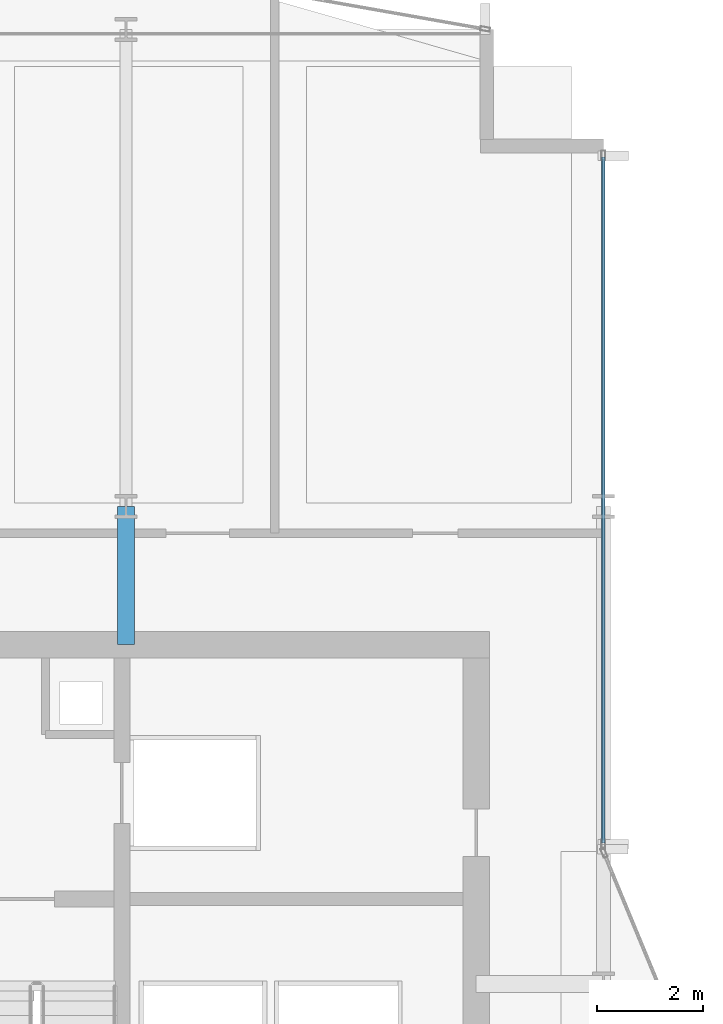
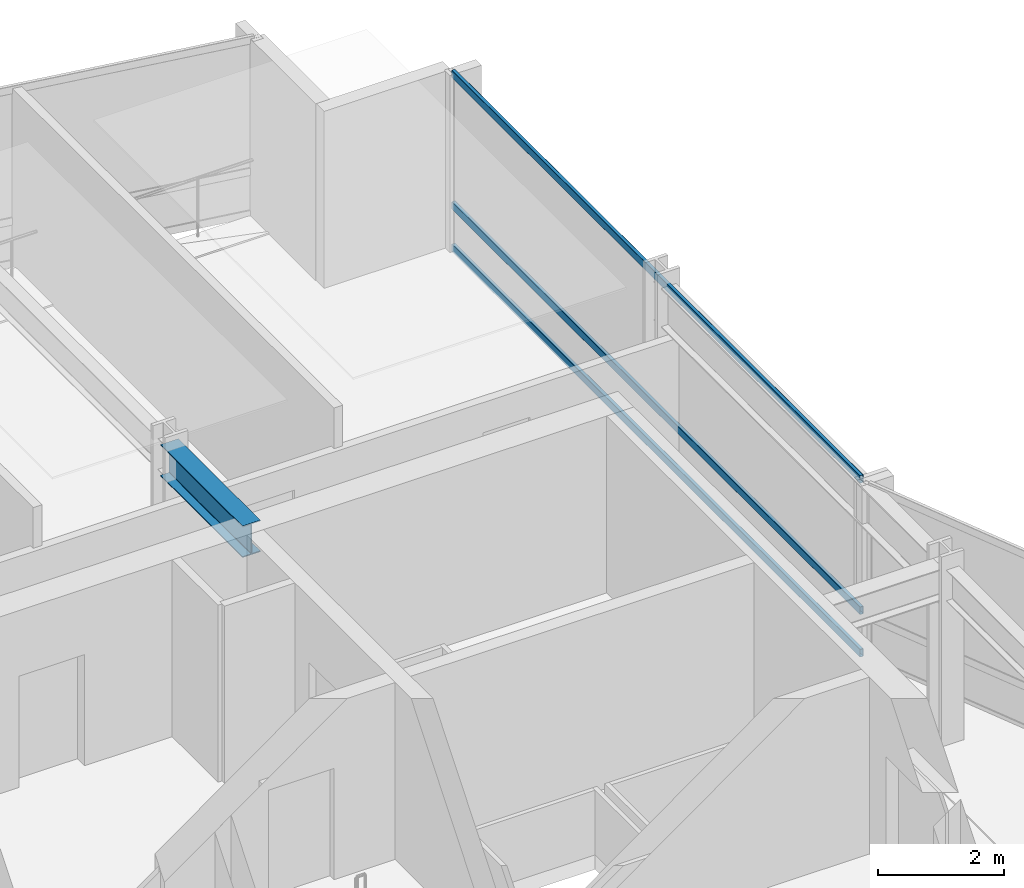
# One storey, part 18 of 28: 3 members, 1 beam, 1 element without a shape of its own.
"""IFC4 building model written with IfcOpenShell, lengths in metres."""

from ifc_helpers import new_model, si_unit, direction, frame, origin, origin_2d, place, context, subcontext, project, spatial, hollow_rectangle, i_section, extrude, material, layer, layer_set, material_profile, profile_set, type_object, element, aggregate, save


model = new_model("IFC4")

# Units and contexts
model_context = context("Model", 3, precision=1e-05, world=origin(), true_north=direction((0.0, 1.0)))
body_context = subcontext(model_context, "Body", "Model", "MODEL_VIEW")
ifc_project = project(units=[si_unit("LENGTHUNIT", "METRE"), si_unit("AREAUNIT", "SQUARE_METRE"), si_unit("VOLUMEUNIT", "CUBIC_METRE"), si_unit("PLANEANGLEUNIT", "RADIAN"), si_unit("MASSUNIT", "GRAM", prefix="KILO")], contexts=[model_context])

# Site, building, storey
site_placement = place(None, origin())
site = spatial("IfcSite", under=ifc_project, at=site_placement, CompositionType="ELEMENT")
building_placement = place(site_placement, origin())
building = spatial("IfcBuilding", under=site, at=building_placement, Name="Solvaryn Broadcast Tower", CompositionType="ELEMENT")
storey_placement = place(building_placement, frame((0.0, 0.0, 135.89990234375)))
storey = spatial("IfcBuildingStorey", under=building, at=storey_placement, Name="L33", CompositionType="ELEMENT", Elevation=135.89990234375)

# Beam
ifc_material_1 = material(Name="Steel ASTM A992 Grade 50", Category="steel")
ifc_material_profile_1 = material_profile(ifc_material_1, i_section(OverallWidth=0.323974609375, OverallDepth=0.611083984375, WebThickness=0.0126953125, FlangeThickness=0.01904296875, FilletRadius=0.014892578125, at=origin_2d()))
ifc_profile_set_1 = profile_set([ifc_material_profile_1], Name="Steel ASTM A992 Grade 50")
beam_type = type_object("IfcBeamType", Name="BM-B1-W24X104", PredefinedType="BEAM", material=ifc_profile_set_1)
beam_placement = place(storey_placement, frame((18.0, 42.39990234375, 3.114501953125), z_axis=(0.0, 1.0, 0.0), x_axis=(-1.0, 0.0, 0.0)))
element("IfcBeam", 1, at=beam_placement, inside=storey, type_object=beam_type, Name="L33 Core Tie Beam CTW3", PredefinedType="BEAM", context=body_context, shape_type="SweptSolid", body=[
    extrude(i_section(OverallWidth=0.323974609375, OverallDepth=0.611083984375, WebThickness=0.0126953125, FlangeThickness=0.01904296875, FilletRadius=0.014892578125, at=origin_2d()), origin(), (0.0, 0.0, 1.0), 2.60009765625),
])

# Curtain wall, members
ifc_material_2 = material(Name="Aluminium and Terracotta Unitised Curtain Wall", Category="masonry")
ifc_layer = layer(ifc_material_2, 0.199951171875)
ifc_layer_set = layer_set([ifc_layer], Name="CW-SYS2-LOWMID")
curtain_wall_type = type_object("IfcCurtainWallType", Name="CW-SYS2-LOWMID", PredefinedType="NOTDEFINED", material=ifc_layer_set)
curtain_wall_placement = place(storey_placement, origin())
curtain_wall = element("IfcCurtainWall", 2, at=curtain_wall_placement, inside=storey, type_object=curtain_wall_type, Name="L33 Curtain Wall IV", PredefinedType="NOTDEFINED")
ifc_material_3 = material(Name="Anodised Aluminium 6063-T6", Category="aluminium")
ifc_material_profile_2 = material_profile(ifc_material_3, hollow_rectangle(XDim=0.06494140625, YDim=0.14990234375, WallThickness=0.00390625, InnerFilletRadius=0.00390625, OuterFilletRadius=0.008056640625, at=origin_2d()))
ifc_profile_set_2 = profile_set([ifc_material_profile_2], Name="Anodised Aluminium 6063-T6")
member_type = type_object("IfcMemberType", Name="CW-TRN-150", PredefinedType="USERDEFINED", material=ifc_profile_set_2)
member_1_placement = place(storey_placement, frame((27.0, 51.590087890625, 0.030029296875), z_axis=(0.0, -1.0, 0.0), x_axis=(1.0, 0.0, 0.0)))
member_1 = element("IfcMember", 3, at=member_1_placement, type_object=member_type, Name="CWS2 transom 1.1", ObjectType="TRANSOM", PredefinedType="USERDEFINED", context=body_context, shape_type="SweptSolid", body=[
    extrude(hollow_rectangle(XDim=0.06494140625, YDim=0.14990234375, WallThickness=0.00390625, InnerFilletRadius=0.00390625, OuterFilletRadius=0.008056640625, at=origin_2d()), origin(), (0.0, 0.0, 1.0), 12.93017578125),
])
member_2_placement = place(storey_placement, frame((27.0, 51.590087890625, 0.85009765625), z_axis=(0.0, -1.0, 0.0), x_axis=(1.0, 0.0, 0.0)))
member_2 = element("IfcMember", 4, at=member_2_placement, type_object=member_type, Name="CWS2 transom 1.2", ObjectType="TRANSOM", PredefinedType="USERDEFINED", context=body_context, shape_type="SweptSolid", body=[
    extrude(hollow_rectangle(XDim=0.06494140625, YDim=0.14990234375, WallThickness=0.00390625, InnerFilletRadius=0.00390625, OuterFilletRadius=0.008056640625, at=origin_2d()), origin(), (0.0, 0.0, 1.0), 12.93017578125),
])
member_3_placement = place(storey_placement, frame((27.0, 51.590087890625, 3.39013671875), z_axis=(0.0, -1.0, 0.0), x_axis=(1.0, 0.0, 0.0)))
member_3 = element("IfcMember", 5, at=member_3_placement, type_object=member_type, Name="CWS2 transom 1.3", ObjectType="TRANSOM", PredefinedType="USERDEFINED", context=body_context, shape_type="SweptSolid", body=[
    extrude(hollow_rectangle(XDim=0.06494140625, YDim=0.14990234375, WallThickness=0.00390625, InnerFilletRadius=0.00390625, OuterFilletRadius=0.008056640625, at=origin_2d()), origin(), (0.0, 0.0, 1.0), 12.93017578125),
])
aggregate(curtain_wall, [member_1, member_2, member_3])

save(model, "model.ifc")
